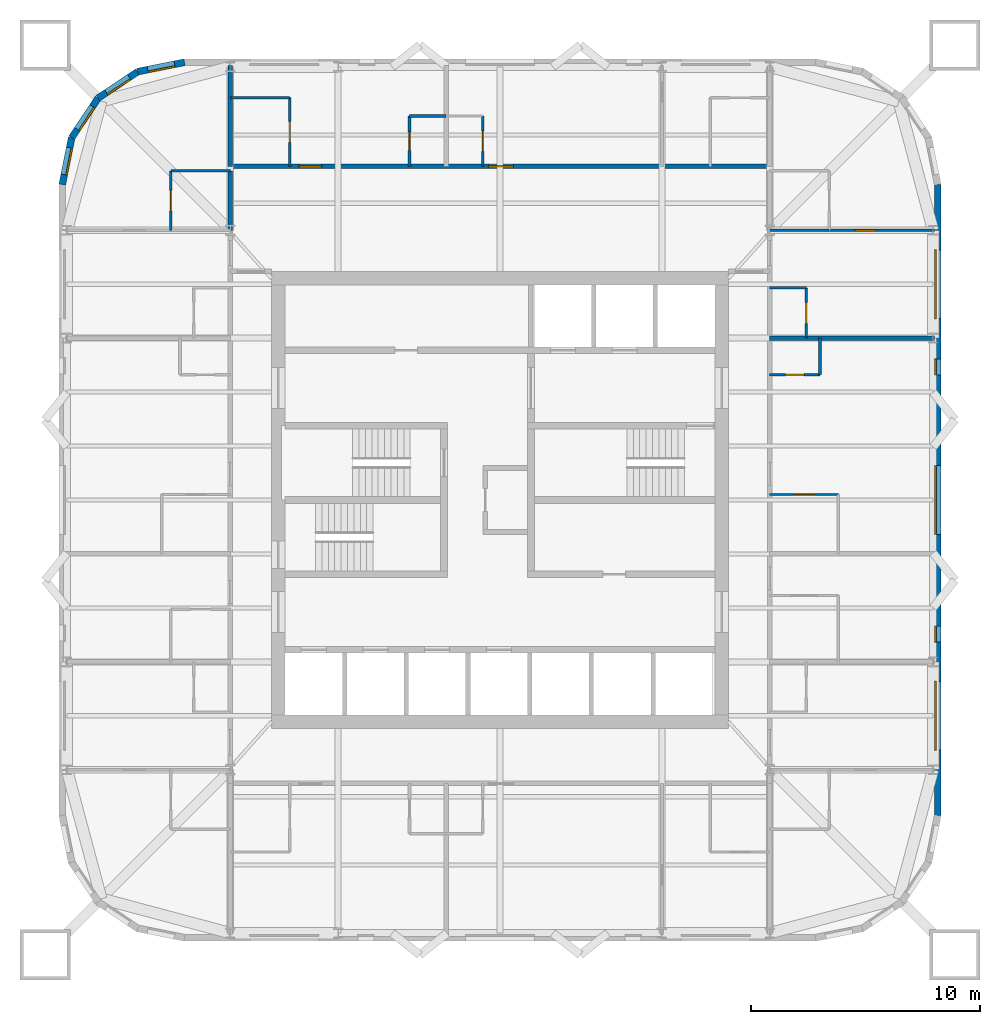
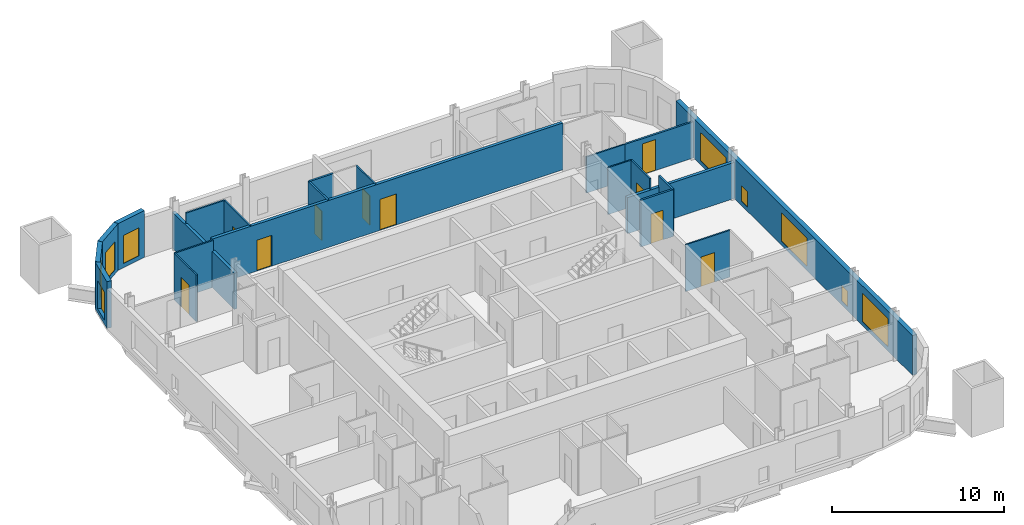
# One storey, part 6 of 8: 23 walls, 10 doors, 9 windows, 19 openings.
"""IFC4 building model written with IfcOpenShell, lengths in metres."""

from ifc_helpers import new_model, si_unit, direction, frame, frame_2d, origin, place, context, subcontext, project, spatial, rectangle, extrude, material, layer, layer_set, type_object, element, fill, save


model = new_model("IFC4")

# Units and contexts
model_context = context("Model", 3, precision=1e-05, world=origin(), true_north=direction((0.0, 1.0)))
body_context = subcontext(model_context, "Body", "Model", "MODEL_VIEW")
ifc_project = project(units=[si_unit("LENGTHUNIT", "METRE"), si_unit("AREAUNIT", "SQUARE_METRE"), si_unit("VOLUMEUNIT", "CUBIC_METRE"), si_unit("PLANEANGLEUNIT", "RADIAN"), si_unit("MASSUNIT", "GRAM", prefix="KILO")], contexts=[model_context])

# Site, building, storey
site_placement = place(None, origin())
site = spatial("IfcSite", under=ifc_project, at=site_placement, CompositionType="ELEMENT")
building_placement = place(site_placement, origin())
building = spatial("IfcBuilding", under=site, at=building_placement, Name="Turquesa Mirador Hotel Tower", CompositionType="ELEMENT")
storey_placement = place(building_placement, frame((0.0, 0.0, 196.800048828125)))
storey = spatial("IfcBuildingStorey", under=building, at=storey_placement, Name="L53", CompositionType="ELEMENT", Elevation=196.800048828125)

# Wall, opening, door
ifc_material_1 = material(Name="Gypsum board on steel studs", Category="steel")
ifc_layer_1 = layer(ifc_material_1, 0.10009765625)
ifc_layer_set_1 = layer_set([ifc_layer_1], Name="BATHROOM WALL 100")
wall_type_1 = type_object("IfcWallType", Name="BATHROOM WALL 100", PredefinedType="PARTITIONING", material=ifc_layer_set_1)
wall_1_placement = place(storey_placement, frame((66.800048828125, 45.239990234375, 0.0), z_axis=(0.0, 0.0, 1.0), x_axis=(1.0, 0.0, 0.0)))
wall_1 = element("IfcWall", 1, at=wall_1_placement, inside=storey, type_object=wall_type_1, Name="Partition L53 021", PredefinedType="PARTITIONING", context=body_context, shape_type="SweptSolid", body=[
    extrude(rectangle(XDim=3.0, YDim=0.10009765625, at=frame_2d((1.5, 0.0))), origin(), (0.0, 0.0, 1.0), 3.329833984375),
])
opening_1_placement = place(wall_1_placement, frame((1.050048828125, 0.0, 0.0)))
opening_1 = element("IfcOpeningElement", 2, at=opening_1_placement, cuts=wall_1, Name="Opening D02", PredefinedType="OPENING", context=body_context, shape_type="SweptSolid", body=[
    extrude(rectangle(XDim=0.89990234375, YDim=2.10009765625, at=frame_2d((0.449951171875, 1.050048828125))), frame((0.0, 0.06005859375, 0.0), z_axis=(0.0, -1.0, 0.0), x_axis=(1.0, 0.0, 0.0)), (0.0, 0.0, 1.0), 0.1201171875),
])
ifc_material_2 = material(Name="Timber veneered door", Category="wood")
door_type_1 = type_object("IfcDoorType", Name="DOOR 900X2100 EN-SUITE", OperationType="SINGLE_SWING_RIGHT", PredefinedType="DOOR", material=ifc_material_2)
door_1_placement = place(opening_1_placement, origin())
door_1 = element("IfcDoor", 3, at=door_1_placement, inside=storey, type_object=door_type_1, Name="Door 5306B", OperationType="SINGLE_SWING_RIGHT", OverallHeight=2.10009765625, OverallWidth=0.89990234375, PredefinedType="DOOR", context=body_context, shape_type="SweptSolid", body=[
    extrude(rectangle(XDim=0.89990234375, YDim=2.10009765625, at=frame_2d((0.449951171875, 1.050048828125))), frame((0.0, 0.02490234375, 0.0), z_axis=(0.0, -1.0, 0.0), x_axis=(1.0, 0.0, 0.0)), (0.0, 0.0, 1.0), 0.050048828125),
])
fill(opening_1, door_1)

# Walls
wall_2_placement = place(storey_placement, frame((66.800048828125, 56.800048828125, 0.0), z_axis=(0.0, 0.0, 1.0), x_axis=(1.0, 0.0, 0.0)))
element("IfcWall", 4, at=wall_2_placement, inside=storey, type_object=wall_type_1, Name="Partition L53 025", PredefinedType="PARTITIONING", context=body_context, shape_type="SweptSolid", body=[
    extrude(rectangle(XDim=2.599853515625, YDim=0.10009765625, at=frame_2d((1.2998046875, 0.0))), origin(), (0.0, 0.0, 1.0), 2.572998046875),
])
wall_3_placement = place(storey_placement, frame((40.60009765625, 59.39990234375, 0.0), z_axis=(0.0, 0.0, 1.0), x_axis=(1.0, 0.0, 0.0)))
element("IfcWall", 5, at=wall_3_placement, inside=storey, type_object=wall_type_1, Name="Partition L53 028", PredefinedType="PARTITIONING", context=body_context, shape_type="SweptSolid", body=[
    extrude(rectangle(XDim=2.599853515625, YDim=0.10009765625, at=frame_2d((1.2998046875, 0.0))), origin(), (0.0, 0.0, 1.0), 3.329833984375),
])
wall_4_placement = place(storey_placement, frame((43.199951171875, 62.60009765625, 0.0), z_axis=(0.0, 0.0, 1.0), x_axis=(1.0, 0.0, 0.0)))
element("IfcWall", 6, at=wall_4_placement, inside=storey, type_object=wall_type_1, Name="Partition L53 033", PredefinedType="PARTITIONING", context=body_context, shape_type="SweptSolid", body=[
    extrude(rectangle(XDim=2.60009765625, YDim=0.10009765625, at=frame_2d((1.300048828125, 0.0))), origin(), (0.0, 0.0, 1.0), 3.329833984375),
])
wall_5_placement = place(storey_placement, frame((66.800048828125, 54.280029296875, 0.0), z_axis=(0.0, 0.0, 1.0), x_axis=(1.0, 0.0, 0.0)))
element("IfcWall", 7, at=wall_5_placement, inside=storey, type_object=wall_type_1, Name="Partition L53 040", PredefinedType="PARTITIONING", context=body_context, shape_type="SweptSolid", body=[
    extrude(rectangle(XDim=1.599853515625, YDim=0.10009765625, at=frame_2d((0.7998046875, 0.0))), origin(), (0.0, 0.0, 1.0), 3.329833984375),
])

# Wall, opening, door
wall_6_placement = place(storey_placement, frame((54.239990234375, 59.60009765625, 0.0), z_axis=(0.0, 0.0, 1.0), x_axis=(0.0, 1.0, 0.0)))
wall_6 = element("IfcWall", 8, at=wall_6_placement, inside=storey, type_object=wall_type_1, Name="Partition L53 042", PredefinedType="PARTITIONING", context=body_context, shape_type="SweptSolid", body=[
    extrude(rectangle(XDim=2.199951171875, YDim=0.10009765625, at=frame_2d((1.10009765625, 0.0))), origin(), (0.0, 0.0, 1.0), 3.329833984375),
])
opening_2_placement = place(wall_6_placement, frame((0.64990234375, 0.0, 0.0)))
opening_2 = element("IfcOpeningElement", 9, at=opening_2_placement, cuts=wall_6, Name="Opening D06", PredefinedType="OPENING", context=body_context, shape_type="SweptSolid", body=[
    extrude(rectangle(XDim=0.89990234375, YDim=2.10009765625, at=frame_2d((0.449951171875, 1.050048828125))), frame((0.0, 0.06005859375, 0.0), z_axis=(0.0, -1.0, 0.0), x_axis=(1.0, 0.0, 0.0)), (0.0, 0.0, 1.0), 0.1201171875),
])
ifc_material_3 = material(Name="Laminate door", Category="wood")
door_type_2 = type_object("IfcDoorType", Name="DOOR 900X2100 WC", OperationType="SINGLE_SWING_LEFT", PredefinedType="DOOR", material=ifc_material_3)
door_2_placement = place(opening_2_placement, origin())
door_2 = element("IfcDoor", 10, at=door_2_placement, inside=storey, type_object=door_type_2, Name="Door 5302W", OperationType="SINGLE_SWING_LEFT", OverallHeight=2.10009765625, OverallWidth=0.89990234375, PredefinedType="DOOR", context=body_context, shape_type="SweptSolid", body=[
    extrude(rectangle(XDim=0.89990234375, YDim=2.10009765625, at=frame_2d((0.449951171875, 1.050048828125))), frame((0.0, 0.02490234375, 0.0), z_axis=(0.0, -1.0, 0.0), x_axis=(1.0, 0.0, 0.0)), (0.0, 0.0, 1.0), 0.050048828125),
])
fill(opening_2, door_2)

wall_7_placement = place(storey_placement, frame((40.60009765625, 56.800048828125, 0.0), z_axis=(0.0, 0.0, 1.0), x_axis=(0.0, 1.0, 0.0)))
wall_7 = element("IfcWall", 11, at=wall_7_placement, inside=storey, type_object=wall_type_1, Name="Partition L53 051", PredefinedType="PARTITIONING", context=body_context, shape_type="SweptSolid", body=[
    extrude(rectangle(XDim=2.599853515625, YDim=0.10009765625, at=frame_2d((1.2998046875, 0.0))), origin(), (0.0, 0.0, 1.0), 3.329833984375),
])
opening_3_placement = place(wall_7_placement, frame((0.85009765625, 0.0, 0.0)))
opening_3 = element("IfcOpeningElement", 12, at=opening_3_placement, cuts=wall_7, Name="Opening D02", PredefinedType="OPENING", context=body_context, shape_type="SweptSolid", body=[
    extrude(rectangle(XDim=0.89990234375, YDim=2.10009765625, at=frame_2d((0.449951171875, 1.050048828125))), frame((0.0, 0.06005859375, 0.0), z_axis=(0.0, -1.0, 0.0), x_axis=(1.0, 0.0, 0.0)), (0.0, 0.0, 1.0), 0.1201171875),
])
door_3_placement = place(opening_3_placement, origin())
door_3 = element("IfcDoor", 13, at=door_3_placement, inside=storey, type_object=door_type_1, Name="Door 5310B", OperationType="SINGLE_SWING_RIGHT", OverallHeight=2.10009765625, OverallWidth=0.89990234375, PredefinedType="DOOR", context=body_context, shape_type="SweptSolid", body=[
    extrude(rectangle(XDim=0.89990234375, YDim=2.10009765625, at=frame_2d((0.449951171875, 1.050048828125))), frame((0.0, 0.02490234375, 0.0), z_axis=(0.0, -1.0, 0.0), x_axis=(1.0, 0.0, 0.0)), (0.0, 0.0, 1.0), 0.050048828125),
])
fill(opening_3, door_3)

wall_8_placement = place(storey_placement, frame((45.800048828125, 59.60009765625, 0.0), z_axis=(0.0, 0.0, 1.0), x_axis=(0.0, 1.0, 0.0)))
wall_8 = element("IfcWall", 14, at=wall_8_placement, inside=storey, type_object=wall_type_1, Name="Partition L53 058", PredefinedType="PARTITIONING", context=body_context, shape_type="SweptSolid", body=[
    extrude(rectangle(XDim=3.0, YDim=0.10009765625, at=frame_2d((1.5, 0.0))), origin(), (0.0, 0.0, 1.0), 3.329833984375),
])
opening_4_placement = place(wall_8_placement, frame((1.050048828125, 0.0, 0.0)))
opening_4 = element("IfcOpeningElement", 15, at=opening_4_placement, cuts=wall_8, Name="Opening D02", PredefinedType="OPENING", context=body_context, shape_type="SweptSolid", body=[
    extrude(rectangle(XDim=0.89990234375, YDim=2.10009765625, at=frame_2d((0.449951171875, 1.050048828125))), frame((0.0, 0.06005859375, 0.0), z_axis=(0.0, -1.0, 0.0), x_axis=(1.0, 0.0, 0.0)), (0.0, 0.0, 1.0), 0.1201171875),
])
door_4_placement = place(opening_4_placement, origin())
door_4 = element("IfcDoor", 16, at=door_4_placement, inside=storey, type_object=door_type_1, Name="Door 5301B", OperationType="SINGLE_SWING_RIGHT", OverallHeight=2.10009765625, OverallWidth=0.89990234375, PredefinedType="DOOR", context=body_context, shape_type="SweptSolid", body=[
    extrude(rectangle(XDim=0.89990234375, YDim=2.10009765625, at=frame_2d((0.449951171875, 1.050048828125))), frame((0.0, 0.02490234375, 0.0), z_axis=(0.0, -1.0, 0.0), x_axis=(1.0, 0.0, 0.0)), (0.0, 0.0, 1.0), 0.050048828125),
])
fill(opening_4, door_4)

wall_9_placement = place(storey_placement, frame((68.39990234375, 52.080078125, 0.0), z_axis=(0.0, 0.0, 1.0), x_axis=(0.0, 1.0, 0.0)))
wall_9 = element("IfcWall", 17, at=wall_9_placement, inside=storey, type_object=wall_type_1, Name="Partition L53 063", PredefinedType="PARTITIONING", context=body_context, shape_type="SweptSolid", body=[
    extrude(rectangle(XDim=2.199951171875, YDim=0.10009765625, at=frame_2d((1.10009765625, 0.0))), origin(), (0.0, 0.0, 1.0), 3.329833984375),
])
opening_5_placement = place(wall_9_placement, frame((0.64990234375, 0.0, 0.0)))
opening_5 = element("IfcOpeningElement", 18, at=opening_5_placement, cuts=wall_9, Name="Opening D06", PredefinedType="OPENING", context=body_context, shape_type="SweptSolid", body=[
    extrude(rectangle(XDim=0.89990234375, YDim=2.10009765625, at=frame_2d((0.449951171875, 1.050048828125))), frame((0.0, 0.06005859375, 0.0), z_axis=(0.0, -1.0, 0.0), x_axis=(1.0, 0.0, 0.0)), (0.0, 0.0, 1.0), 0.1201171875),
])
door_5_placement = place(opening_5_placement, origin())
door_5 = element("IfcDoor", 19, at=door_5_placement, inside=storey, type_object=door_type_2, Name="Door 5309W", OperationType="SINGLE_SWING_LEFT", OverallHeight=2.10009765625, OverallWidth=0.89990234375, PredefinedType="DOOR", context=body_context, shape_type="SweptSolid", body=[
    extrude(rectangle(XDim=0.89990234375, YDim=2.10009765625, at=frame_2d((0.449951171875, 1.050048828125))), frame((0.0, 0.02490234375, 0.0), z_axis=(0.0, -1.0, 0.0), x_axis=(1.0, 0.0, 0.0)), (0.0, 0.0, 1.0), 0.050048828125),
])
fill(opening_5, door_5)

# Wall, openings, doors
ifc_material_4 = material(Name="Fire-rated gypsum board on steel studs", Category="steel")
ifc_layer_2 = layer(ifc_material_4, 0.199951171875)
ifc_layer_set_2 = layer_set([ifc_layer_2], Name="CORRIDOR WALL 200")
wall_type_2 = type_object("IfcWallType", Name="CORRIDOR WALL 200", PredefinedType="PARTITIONING", material=ifc_layer_set_2)
wall_10_placement = place(storey_placement, frame((43.199951171875, 59.60009765625, 0.0), z_axis=(0.0, 0.0, 1.0), x_axis=(1.0, 0.0, 0.0)))
wall_10 = element("IfcWall", 20, at=wall_10_placement, inside=storey, type_object=wall_type_2, Name="Partition L53 030", PredefinedType="PARTITIONING", context=body_context, shape_type="SweptSolid", body=[
    extrude(rectangle(XDim=23.60009765625, YDim=0.199951171875, at=frame_2d((11.800048828125, 0.0))), origin(), (0.0, 0.0, 1.0), 3.329833984375),
])
opening_6_placement = place(wall_10_placement, frame((3.0, 0.0, 0.0)))
opening_6 = element("IfcOpeningElement", 21, at=opening_6_placement, cuts=wall_10, Name="Opening D01", PredefinedType="OPENING", context=body_context, shape_type="SweptSolid", body=[
    extrude(rectangle(XDim=1.0, YDim=2.199951171875, at=frame_2d((0.5, 1.10009765625))), frame((0.0, 0.10986328125, 0.0), z_axis=(0.0, -1.0, 0.0), x_axis=(1.0, 0.0, 0.0)), (0.0, 0.0, 1.0), 0.219970703125),
])
opening_7_placement = place(wall_10_placement, frame((11.2900390625, 0.0, 0.0)))
opening_7 = element("IfcOpeningElement", 22, at=opening_7_placement, cuts=wall_10, Name="Opening D15", PredefinedType="OPENING", context=body_context, shape_type="SweptSolid", body=[
    extrude(rectangle(XDim=1.10009765625, YDim=2.199951171875, at=frame_2d((0.550048828125, 1.10009765625))), frame((0.0, 0.10986328125, 0.0), z_axis=(0.0, -1.0, 0.0), x_axis=(1.0, 0.0, 0.0)), (0.0, 0.0, 1.0), 0.219970703125),
])
ifc_material_5 = material(Name="Timber veneered fire door", Category="wood")
door_type_3 = type_object("IfcDoorType", Name="DOOR 1000X2200 GUEST ENTRY", OperationType="SINGLE_SWING_LEFT", PredefinedType="DOOR", material=ifc_material_5)
door_6_placement = place(opening_6_placement, origin())
door_6 = element("IfcDoor", 23, at=door_6_placement, inside=storey, type_object=door_type_3, Name="Door 5301", OperationType="SINGLE_SWING_LEFT", OverallHeight=2.199951171875, OverallWidth=1.0, PredefinedType="DOOR", context=body_context, shape_type="SweptSolid", body=[
    extrude(rectangle(XDim=1.0, YDim=2.199951171875, at=frame_2d((0.5, 1.10009765625))), frame((0.0, 0.02490234375, 0.0), z_axis=(0.0, -1.0, 0.0), x_axis=(1.0, 0.0, 0.0)), (0.0, 0.0, 1.0), 0.050048828125),
])
fill(opening_6, door_6)
ifc_material_6 = material(Name="Timber veneered fire door", Category="wood")
door_type_4 = type_object("IfcDoorType", Name="DOOR 1100X2200 SUITE ENTRY", OperationType="SINGLE_SWING_LEFT", PredefinedType="DOOR", material=ifc_material_6)
door_7_placement = place(opening_7_placement, origin())
door_7 = element("IfcDoor", 24, at=door_7_placement, inside=storey, type_object=door_type_4, Name="Door 5302", OperationType="SINGLE_SWING_LEFT", OverallHeight=2.199951171875, OverallWidth=1.10009765625, PredefinedType="DOOR", context=body_context, shape_type="SweptSolid", body=[
    extrude(rectangle(XDim=1.10009765625, YDim=2.199951171875, at=frame_2d((0.550048828125, 1.10009765625))), frame((0.0, 0.02490234375, 0.0), z_axis=(0.0, -1.0, 0.0), x_axis=(1.0, 0.0, 0.0)), (0.0, 0.0, 1.0), 0.050048828125),
])
fill(opening_7, door_7)

# Wall
wall_11_placement = place(storey_placement, frame((43.199951171875, 56.780029296875, 0.0), z_axis=(0.0, 0.0, 1.0), x_axis=(0.0, 1.0, 0.0)))
element("IfcWall", 25, at=wall_11_placement, inside=storey, type_object=wall_type_2, Name="Partition L53 074", PredefinedType="PARTITIONING", context=body_context, shape_type="SweptSolid", body=[
    extrude(rectangle(XDim=2.619873046875, YDim=0.199951171875, at=frame_2d((1.31005859375, 0.0))), origin(), (0.0, 0.0, 1.0), 2.572998046875),
])

# Wall, openings, windows
ifc_material_7 = material(Name="Limestone cladding on concrete block", Category="masonry")
ifc_layer_3 = layer(ifc_material_7, 0.300048828125)
ifc_layer_set_3 = layer_set([ifc_layer_3], Name="FACADE WALL 300 STONE SCREEN")
wall_type_3 = type_object("IfcWallType", Name="FACADE WALL 300 STONE SCREEN", PredefinedType="SOLIDWALL", material=ifc_layer_set_3)
wall_12_placement = place(storey_placement, frame((74.14990234375, 31.199951171875, 0.0), z_axis=(0.0, 0.0, 1.0), x_axis=(0.0, 1.0, 0.0)))
wall_12 = element("IfcWall", 26, at=wall_12_placement, inside=storey, type_object=wall_type_3, Name="Facade wall L53 04", PredefinedType="SOLIDWALL", context=body_context, shape_type="SweptSolid", body=[
    extrude(rectangle(XDim=27.60009765625, YDim=0.300048828125, at=frame_2d((13.800048828125, 0.0))), origin(), (0.0, 0.0, 1.0), 2.829833984375),
])
opening_8_placement = place(wall_12_placement, frame((2.860107421875, 0.0, 0.300048828125)))
opening_8 = element("IfcOpeningElement", 27, at=opening_8_placement, cuts=wall_12, Name="Opening WN1", PredefinedType="OPENING", context=body_context, shape_type="SweptSolid", body=[
    extrude(rectangle(XDim=3.0, YDim=2.0, at=frame_2d((1.5, 1.0))), frame((0.0, 0.159912109375, 0.0), z_axis=(0.0, -1.0, 0.0), x_axis=(1.0, 0.0, 0.0)), (0.0, 0.0, 1.0), 0.320068359375),
])
opening_9_placement = place(wall_12_placement, frame((7.580078125, 0.0, 0.300048828125)))
opening_9 = element("IfcOpeningElement", 28, at=opening_9_placement, cuts=wall_12, Name="Opening WN33", PredefinedType="OPENING", context=body_context, shape_type="SweptSolid", body=[
    extrude(rectangle(XDim=0.699951171875, YDim=1.10009765625, at=frame_2d((0.35009765625, 0.550048828125))), frame((0.0, 0.159912109375, 0.0), z_axis=(0.0, -1.0, 0.0), x_axis=(1.0, 0.0, 0.0)), (0.0, 0.0, 1.0), 0.320068359375),
])
opening_10_placement = place(wall_12_placement, frame((12.300048828125, 0.0, 0.300048828125)))
opening_10 = element("IfcOpeningElement", 29, at=opening_10_placement, cuts=wall_12, Name="Opening WN1", PredefinedType="OPENING", context=body_context, shape_type="SweptSolid", body=[
    extrude(rectangle(XDim=3.0, YDim=2.0, at=frame_2d((1.5, 1.0))), frame((0.0, 0.159912109375, 0.0), z_axis=(0.0, -1.0, 0.0), x_axis=(1.0, 0.0, 0.0)), (0.0, 0.0, 1.0), 0.320068359375),
])
opening_11_placement = place(wall_12_placement, frame((19.27001953125, 0.0, 0.300048828125)))
opening_11 = element("IfcOpeningElement", 30, at=opening_11_placement, cuts=wall_12, Name="Opening WN33", PredefinedType="OPENING", context=body_context, shape_type="SweptSolid", body=[
    extrude(rectangle(XDim=0.699951171875, YDim=1.10009765625, at=frame_2d((0.35009765625, 0.550048828125))), frame((0.0, 0.159912109375, 0.0), z_axis=(0.0, -1.0, 0.0), x_axis=(1.0, 0.0, 0.0)), (0.0, 0.0, 1.0), 0.320068359375),
])
opening_12_placement = place(wall_12_placement, frame((21.739990234375, 0.0, 0.300048828125)))
opening_12 = element("IfcOpeningElement", 31, at=opening_12_placement, cuts=wall_12, Name="Opening WN1", PredefinedType="OPENING", context=body_context, shape_type="SweptSolid", body=[
    extrude(rectangle(XDim=3.0, YDim=2.0, at=frame_2d((1.5, 1.0))), frame((0.0, 0.159912109375, 0.0), z_axis=(0.0, -1.0, 0.0), x_axis=(1.0, 0.0, 0.0)), (0.0, 0.0, 1.0), 0.320068359375),
])
ifc_material_8 = material(Name="Ceramic-fritted laminated glass", Category="glass")
window_type_1 = type_object("IfcWindowType", Name="FRITTED WINDOW 3000X2000", PartitioningType="DOUBLE_PANEL_HORIZONTAL", PredefinedType="WINDOW", material=ifc_material_8)
window_1_placement = place(opening_8_placement, origin())
window_1 = element("IfcWindow", 32, at=window_1_placement, inside=storey, type_object=window_type_1, Name="Window L53", OverallHeight=2.0, OverallWidth=3.0, PartitioningType="SINGLE_PANEL", PredefinedType="WINDOW", context=body_context, shape_type="SweptSolid", body=[
    extrude(rectangle(XDim=3.0, YDim=2.0, at=frame_2d((1.5, 1.0))), frame((0.0, 0.130126953125, 0.0), z_axis=(0.0, -1.0, 0.0), x_axis=(1.0, 0.0, 0.0)), (0.0, 0.0, 1.0), 0.06005859375),
])
fill(opening_8, window_1)
window_2_placement = place(opening_10_placement, origin())
window_2 = element("IfcWindow", 33, at=window_2_placement, inside=storey, type_object=window_type_1, Name="Window L53", OverallHeight=2.0, OverallWidth=3.0, PartitioningType="SINGLE_PANEL", PredefinedType="WINDOW", context=body_context, shape_type="SweptSolid", body=[
    extrude(rectangle(XDim=3.0, YDim=2.0, at=frame_2d((1.5, 1.0))), frame((0.0, 0.130126953125, 0.0), z_axis=(0.0, -1.0, 0.0), x_axis=(1.0, 0.0, 0.0)), (0.0, 0.0, 1.0), 0.06005859375),
])
fill(opening_10, window_2)
window_3_placement = place(opening_12_placement, origin())
window_3 = element("IfcWindow", 34, at=window_3_placement, inside=storey, type_object=window_type_1, Name="Window L53", OverallHeight=2.0, OverallWidth=3.0, PartitioningType="SINGLE_PANEL", PredefinedType="WINDOW", context=body_context, shape_type="SweptSolid", body=[
    extrude(rectangle(XDim=3.0, YDim=2.0, at=frame_2d((1.5, 1.0))), frame((0.0, 0.130126953125, 0.0), z_axis=(0.0, -1.0, 0.0), x_axis=(1.0, 0.0, 0.0)), (0.0, 0.0, 1.0), 0.06005859375),
])
fill(opening_12, window_3)
ifc_material_9 = material(Name="Ceramic-fritted laminated glass", Category="glass")
window_type_2 = type_object("IfcWindowType", Name="FRITTED WINDOW 700X1100", PartitioningType="DOUBLE_PANEL_HORIZONTAL", PredefinedType="WINDOW", material=ifc_material_9)
window_4_placement = place(opening_9_placement, origin())
window_4 = element("IfcWindow", 35, at=window_4_placement, inside=storey, type_object=window_type_2, Name="Window L53", OverallHeight=1.10009765625, OverallWidth=0.699951171875, PartitioningType="SINGLE_PANEL", PredefinedType="WINDOW", context=body_context, shape_type="SweptSolid", body=[
    extrude(rectangle(XDim=0.699951171875, YDim=1.10009765625, at=frame_2d((0.35009765625, 0.550048828125))), frame((0.0, 0.130126953125, 0.0), z_axis=(0.0, -1.0, 0.0), x_axis=(1.0, 0.0, 0.0)), (0.0, 0.0, 1.0), 0.06005859375),
])
fill(opening_9, window_4)
window_5_placement = place(opening_11_placement, origin())
window_5 = element("IfcWindow", 36, at=window_5_placement, inside=storey, type_object=window_type_2, Name="Window L53", OverallHeight=1.10009765625, OverallWidth=0.699951171875, PartitioningType="SINGLE_PANEL", PredefinedType="WINDOW", context=body_context, shape_type="SweptSolid", body=[
    extrude(rectangle(XDim=0.699951171875, YDim=1.10009765625, at=frame_2d((0.35009765625, 0.550048828125))), frame((0.0, 0.130126953125, 0.0), z_axis=(0.0, -1.0, 0.0), x_axis=(1.0, 0.0, 0.0)), (0.0, 0.0, 1.0), 0.06005859375),
])
fill(opening_11, window_5)

# Wall, opening, window
wall_13_placement = place(storey_placement, frame((41.199951171875, 64.14990234375, 0.0), z_axis=(0.0, 0.0, 1.0), x_axis=(-0.980787050784, -0.195081421501, 0.0)))
wall_13 = element("IfcWall", 37, at=wall_13_placement, inside=storey, type_object=wall_type_3, Name="Facade wall L53 10", PredefinedType="SOLIDWALL", context=body_context, shape_type="SweptSolid", body=[
    extrude(rectangle(XDim=2.08740234375, YDim=0.300048828125, at=frame_2d((1.043701171875, 0.0))), origin(), (0.0, 0.0, 1.0), 3.329833984375),
])
opening_13_placement = place(wall_13_placement, frame((0.443603515625, 0.0, 0.300048828125)))
opening_13 = element("IfcOpeningElement", 38, at=opening_13_placement, cuts=wall_13, Name="Opening WN4", PredefinedType="OPENING", context=body_context, shape_type="SweptSolid", body=[
    extrude(rectangle(XDim=1.199951171875, YDim=2.0, at=frame_2d((0.60009765625, 1.0))), frame((0.0, 0.159912109375, 0.0), z_axis=(0.0, -1.0, 0.0), x_axis=(1.0, 0.0, 0.0)), (0.0, 0.0, 1.0), 0.320068359375),
])
ifc_material_10 = material(Name="Ceramic-fritted laminated glass", Category="glass")
window_type_3 = type_object("IfcWindowType", Name="FRITTED CORNER WINDOW 1200X2000", PartitioningType="DOUBLE_PANEL_HORIZONTAL", PredefinedType="WINDOW", material=ifc_material_10)
window_6_placement = place(opening_13_placement, origin())
window_6 = element("IfcWindow", 39, at=window_6_placement, inside=storey, type_object=window_type_3, Name="Window L53", OverallHeight=2.0, OverallWidth=1.199951171875, PartitioningType="SINGLE_PANEL", PredefinedType="WINDOW", context=body_context, shape_type="SweptSolid", body=[
    extrude(rectangle(XDim=1.199951171875, YDim=2.0, at=frame_2d((0.60009765625, 1.0))), frame((0.0, 0.130126953125, 0.0), z_axis=(0.0, -1.0, 0.0), x_axis=(1.0, 0.0, 0.0)), (0.0, 0.0, 1.0), 0.06005859375),
])
fill(opening_13, window_6)

wall_14_placement = place(storey_placement, frame((39.152587890625, 63.74267578125, 0.0), z_axis=(0.0, 0.0, 1.0), x_axis=(-0.831474039234, -0.555563607591, 0.0)))
wall_14 = element("IfcWall", 40, at=wall_14_placement, inside=storey, type_object=wall_type_3, Name="Facade wall L53 11", PredefinedType="SOLIDWALL", context=body_context, shape_type="SweptSolid", body=[
    extrude(rectangle(XDim=2.08740234375, YDim=0.300048828125, at=frame_2d((1.043701171875, 0.0))), origin(), (0.0, 0.0, 1.0), 3.329833984375),
])
opening_14_placement = place(wall_14_placement, frame((0.443603515625, 0.0, 0.300048828125)))
opening_14 = element("IfcOpeningElement", 41, at=opening_14_placement, cuts=wall_14, Name="Opening WN4", PredefinedType="OPENING", context=body_context, shape_type="SweptSolid", body=[
    extrude(rectangle(XDim=1.199951171875, YDim=2.0, at=frame_2d((0.60009765625, 1.0))), frame((0.0, 0.159912109375, 0.0), z_axis=(0.0, -1.0, 0.0), x_axis=(1.0, 0.0, 0.0)), (0.0, 0.0, 1.0), 0.320068359375),
])
window_7_placement = place(opening_14_placement, origin())
window_7 = element("IfcWindow", 42, at=window_7_placement, inside=storey, type_object=window_type_3, Name="Window L53", OverallHeight=2.0, OverallWidth=1.199951171875, PartitioningType="SINGLE_PANEL", PredefinedType="WINDOW", context=body_context, shape_type="SweptSolid", body=[
    extrude(rectangle(XDim=1.199951171875, YDim=2.0, at=frame_2d((0.60009765625, 1.0))), frame((0.0, 0.130126953125, 0.0), z_axis=(0.0, -1.0, 0.0), x_axis=(1.0, 0.0, 0.0)), (0.0, 0.0, 1.0), 0.06005859375),
])
fill(opening_14, window_7)

wall_15_placement = place(storey_placement, frame((37.4169921875, 62.5830078125, 0.0), z_axis=(0.0, 0.0, 1.0), x_axis=(-0.555563607591, -0.831474039234, 0.0)))
wall_15 = element("IfcWall", 43, at=wall_15_placement, inside=storey, type_object=wall_type_3, Name="Facade wall L53 12", PredefinedType="SOLIDWALL", context=body_context, shape_type="SweptSolid", body=[
    extrude(rectangle(XDim=2.08740234375, YDim=0.300048828125, at=frame_2d((1.043701171875, 0.0))), origin(), (0.0, 0.0, 1.0), 3.329833984375),
])
opening_15_placement = place(wall_15_placement, frame((0.443603515625, 0.0, 0.300048828125)))
opening_15 = element("IfcOpeningElement", 44, at=opening_15_placement, cuts=wall_15, Name="Opening WN4", PredefinedType="OPENING", context=body_context, shape_type="SweptSolid", body=[
    extrude(rectangle(XDim=1.199951171875, YDim=2.0, at=frame_2d((0.60009765625, 1.0))), frame((0.0, 0.159912109375, 0.0), z_axis=(0.0, -1.0, 0.0), x_axis=(1.0, 0.0, 0.0)), (0.0, 0.0, 1.0), 0.320068359375),
])
window_8_placement = place(opening_15_placement, origin())
window_8 = element("IfcWindow", 45, at=window_8_placement, inside=storey, type_object=window_type_3, Name="Window L53", OverallHeight=2.0, OverallWidth=1.199951171875, PartitioningType="SINGLE_PANEL", PredefinedType="WINDOW", context=body_context, shape_type="SweptSolid", body=[
    extrude(rectangle(XDim=1.199951171875, YDim=2.0, at=frame_2d((0.60009765625, 1.0))), frame((0.0, 0.130126953125, 0.0), z_axis=(0.0, -1.0, 0.0), x_axis=(1.0, 0.0, 0.0)), (0.0, 0.0, 1.0), 0.06005859375),
])
fill(opening_15, window_8)

wall_16_placement = place(storey_placement, frame((36.25732421875, 60.847412109375, 0.0), z_axis=(0.0, 0.0, 1.0), x_axis=(-0.195081421501, -0.980787050784, 0.0)))
wall_16 = element("IfcWall", 46, at=wall_16_placement, inside=storey, type_object=wall_type_3, Name="Facade wall L53 13", PredefinedType="SOLIDWALL", context=body_context, shape_type="SweptSolid", body=[
    extrude(rectangle(XDim=2.08740234375, YDim=0.300048828125, at=frame_2d((1.043701171875, 0.0))), origin(), (0.0, 0.0, 1.0), 3.329833984375),
])
opening_16_placement = place(wall_16_placement, frame((0.443603515625, 0.0, 0.300048828125)))
opening_16 = element("IfcOpeningElement", 47, at=opening_16_placement, cuts=wall_16, Name="Opening WN4", PredefinedType="OPENING", context=body_context, shape_type="SweptSolid", body=[
    extrude(rectangle(XDim=1.199951171875, YDim=2.0, at=frame_2d((0.60009765625, 1.0))), frame((0.0, 0.159912109375, 0.0), z_axis=(0.0, -1.0, 0.0), x_axis=(1.0, 0.0, 0.0)), (0.0, 0.0, 1.0), 0.320068359375),
])
window_9_placement = place(opening_16_placement, origin())
window_9 = element("IfcWindow", 48, at=window_9_placement, inside=storey, type_object=window_type_3, Name="Window L53", OverallHeight=2.0, OverallWidth=1.199951171875, PartitioningType="SINGLE_PANEL", PredefinedType="WINDOW", context=body_context, shape_type="SweptSolid", body=[
    extrude(rectangle(XDim=1.199951171875, YDim=2.0, at=frame_2d((0.60009765625, 1.0))), frame((0.0, 0.130126953125, 0.0), z_axis=(0.0, -1.0, 0.0), x_axis=(1.0, 0.0, 0.0)), (0.0, 0.0, 1.0), 0.06005859375),
])
fill(opening_16, window_9)

# Walls
ifc_material_11 = material(Name="Fire-rated gypsum board on steel studs", Category="steel")
ifc_layer_4 = layer(ifc_material_11, 0.199951171875)
ifc_layer_set_4 = layer_set([ifc_layer_4], Name="PARTY WALL 200")
wall_type_4 = type_object("IfcWallType", Name="PARTY WALL 200", PredefinedType="PARTITIONING", material=ifc_layer_set_4)
wall_17_placement = place(storey_placement, frame((66.800048828125, 52.080078125, 0.0), z_axis=(0.0, 0.0, 1.0), x_axis=(1.0, 0.0, 0.0)))
element("IfcWall", 49, at=wall_17_placement, inside=storey, type_object=wall_type_4, Name="Partition L53 038", PredefinedType="PARTITIONING", context=body_context, shape_type="SweptSolid", body=[
    extrude(rectangle(XDim=7.199951171875, YDim=0.199951171875, at=frame_2d((3.60009765625, 0.0))), origin(), (0.0, 0.0, 1.0), 2.572998046875),
])
wall_18_placement = place(storey_placement, frame((43.199951171875, 59.60009765625, 0.0), z_axis=(0.0, 0.0, 1.0), x_axis=(0.0, 1.0, 0.0)))
element("IfcWall", 50, at=wall_18_placement, inside=storey, type_object=wall_type_4, Name="Partition L53 045", PredefinedType="PARTITIONING", context=body_context, shape_type="SweptSolid", body=[
    extrude(rectangle(XDim=4.39990234375, YDim=0.199951171875, at=frame_2d((2.199951171875, 0.0))), origin(), (0.0, 0.0, 1.0), 2.572998046875),
])

# Wall, opening, door
ifc_material_12 = material(Name="Acoustic gypsum board on steel studs", Category="steel")
ifc_layer_5 = layer(ifc_material_12, 0.125)
ifc_layer_set_5 = layer_set([ifc_layer_5], Name="SUITE PARTITION 125")
wall_type_5 = type_object("IfcWallType", Name="SUITE PARTITION 125", PredefinedType="PARTITIONING", material=ifc_layer_set_5)
wall_19_placement = place(storey_placement, frame((69.39990234375, 56.800048828125, 0.0), z_axis=(0.0, 0.0, 1.0), x_axis=(1.0, 0.0, 0.0)))
wall_19 = element("IfcWall", 51, at=wall_19_placement, inside=storey, type_object=wall_type_5, Name="Partition L53 027", PredefinedType="PARTITIONING", context=body_context, shape_type="SweptSolid", body=[
    extrude(rectangle(XDim=4.60009765625, YDim=0.125, at=frame_2d((2.300048828125, 0.0))), origin(), (0.0, 0.0, 1.0), 2.572998046875),
])
opening_17_placement = place(wall_19_placement, frame((1.14990234375, 0.0, 0.0)))
opening_17 = element("IfcOpeningElement", 52, at=opening_17_placement, cuts=wall_19, Name="Opening D17", PredefinedType="OPENING", context=body_context, shape_type="SweptSolid", body=[
    extrude(rectangle(XDim=0.89990234375, YDim=2.199951171875, at=frame_2d((0.449951171875, 1.10009765625))), frame((0.0, 0.072509765625, 0.0), z_axis=(0.0, -1.0, 0.0), x_axis=(1.0, 0.0, 0.0)), (0.0, 0.0, 1.0), 0.14501953125),
])
ifc_material_13 = material(Name="Timber veneered door", Category="wood")
door_type_5 = type_object("IfcDoorType", Name="DOOR 900X2200 SUITE INTERNAL", OperationType="SINGLE_SWING_LEFT", PredefinedType="DOOR", material=ifc_material_13)
door_8_placement = place(opening_17_placement, origin())
door_8 = element("IfcDoor", 53, at=door_8_placement, inside=storey, type_object=door_type_5, Name="Door 5309R", OperationType="SINGLE_SWING_LEFT", OverallHeight=2.199951171875, OverallWidth=0.89990234375, PredefinedType="DOOR", context=body_context, shape_type="SweptSolid", body=[
    extrude(rectangle(XDim=0.89990234375, YDim=2.199951171875, at=frame_2d((0.449951171875, 1.10009765625))), frame((0.0, 0.02490234375, 0.0), z_axis=(0.0, -1.0, 0.0), x_axis=(1.0, 0.0, 0.0)), (0.0, 0.0, 1.0), 0.050048828125),
])
fill(opening_17, door_8)

# Wall
wall_20_placement = place(storey_placement, frame((51.0400390625, 61.800048828125, 0.0), z_axis=(0.0, 0.0, 1.0), x_axis=(1.0, 0.0, 0.0)))
element("IfcWall", 54, at=wall_20_placement, inside=storey, type_object=wall_type_5, Name="Partition L53 032", PredefinedType="PARTITIONING", context=body_context, shape_type="SweptSolid", body=[
    extrude(rectangle(XDim=1.599853515625, YDim=0.125, at=frame_2d((0.7998046875, 0.0))), origin(), (0.0, 0.0, 1.0), 3.329833984375),
])

# Wall, opening, door
wall_21_placement = place(storey_placement, frame((66.800048828125, 50.47998046875, 0.0), z_axis=(0.0, 0.0, 1.0), x_axis=(1.0, 0.0, 0.0)))
wall_21 = element("IfcWall", 55, at=wall_21_placement, inside=storey, type_object=wall_type_5, Name="Partition L53 036", PredefinedType="PARTITIONING", context=body_context, shape_type="SweptSolid", body=[
    extrude(rectangle(XDim=2.199951171875, YDim=0.125, at=frame_2d((1.10009765625, 0.0))), origin(), (0.0, 0.0, 1.0), 3.329833984375),
])
opening_18_placement = place(wall_21_placement, frame((0.699951171875, 0.0, 0.0)))
opening_18 = element("IfcOpeningElement", 56, at=opening_18_placement, cuts=wall_21, Name="Opening D20", PredefinedType="OPENING", context=body_context, shape_type="SweptSolid", body=[
    extrude(rectangle(XDim=0.800048828125, YDim=2.10009765625, at=frame_2d((0.39990234375, 1.050048828125))), frame((0.0, 0.072509765625, 0.0), z_axis=(0.0, -1.0, 0.0), x_axis=(1.0, 0.0, 0.0)), (0.0, 0.0, 1.0), 0.14501953125),
])
ifc_material_14 = material(Name="Timber veneered sliding door", Category="wood")
door_type_6 = type_object("IfcDoorType", Name="DOOR 800X2100 WARDROBE", OperationType="SLIDING_TO_LEFT", PredefinedType="DOOR", material=ifc_material_14)
door_9_placement = place(opening_18_placement, origin())
door_9 = element("IfcDoor", 57, at=door_9_placement, inside=storey, type_object=door_type_6, Name="Door 5306W", OperationType="SLIDING_TO_LEFT", OverallHeight=2.10009765625, OverallWidth=0.800048828125, PredefinedType="DOOR", context=body_context, shape_type="SweptSolid", body=[
    extrude(rectangle(XDim=0.800048828125, YDim=2.10009765625, at=frame_2d((0.39990234375, 1.050048828125))), frame((0.0, 0.02490234375, 0.0), z_axis=(0.0, -1.0, 0.0), x_axis=(1.0, 0.0, 0.0)), (0.0, 0.0, 1.0), 0.050048828125),
])
fill(opening_18, door_9)

wall_22_placement = place(storey_placement, frame((51.0400390625, 59.60009765625, 0.0), z_axis=(0.0, 0.0, 1.0), x_axis=(0.0, 1.0, 0.0)))
wall_22 = element("IfcWall", 58, at=wall_22_placement, inside=storey, type_object=wall_type_5, Name="Partition L53 056", PredefinedType="PARTITIONING", context=body_context, shape_type="SweptSolid", body=[
    extrude(rectangle(XDim=2.199951171875, YDim=0.125, at=frame_2d((1.10009765625, 0.0))), origin(), (0.0, 0.0, 1.0), 3.329833984375),
])
opening_19_placement = place(wall_22_placement, frame((0.699951171875, 0.0, 0.0)))
opening_19 = element("IfcOpeningElement", 59, at=opening_19_placement, cuts=wall_22, Name="Opening D20", PredefinedType="OPENING", context=body_context, shape_type="SweptSolid", body=[
    extrude(rectangle(XDim=0.800048828125, YDim=2.10009765625, at=frame_2d((0.39990234375, 1.050048828125))), frame((0.0, 0.072509765625, 0.0), z_axis=(0.0, -1.0, 0.0), x_axis=(1.0, 0.0, 0.0)), (0.0, 0.0, 1.0), 0.14501953125),
])
door_10_placement = place(opening_19_placement, origin())
door_10 = element("IfcDoor", 60, at=door_10_placement, inside=storey, type_object=door_type_6, Name="Door 5301W", OperationType="SLIDING_TO_LEFT", OverallHeight=2.10009765625, OverallWidth=0.800048828125, PredefinedType="DOOR", context=body_context, shape_type="SweptSolid", body=[
    extrude(rectangle(XDim=0.800048828125, YDim=2.10009765625, at=frame_2d((0.39990234375, 1.050048828125))), frame((0.0, 0.02490234375, 0.0), z_axis=(0.0, -1.0, 0.0), x_axis=(1.0, 0.0, 0.0)), (0.0, 0.0, 1.0), 0.050048828125),
])
fill(opening_19, door_10)

# Wall
wall_23_placement = place(storey_placement, frame((69.0, 50.47998046875, 0.0), z_axis=(0.0, 0.0, 1.0), x_axis=(0.0, 1.0, 0.0)))
element("IfcWall", 61, at=wall_23_placement, inside=storey, type_object=wall_type_5, Name="Partition L53 064", PredefinedType="PARTITIONING", context=body_context, shape_type="SweptSolid", body=[
    extrude(rectangle(XDim=1.60009765625, YDim=0.125, at=frame_2d((0.800048828125, 0.0))), origin(), (0.0, 0.0, 1.0), 3.329833984375),
])

save(model, "model.ifc")
